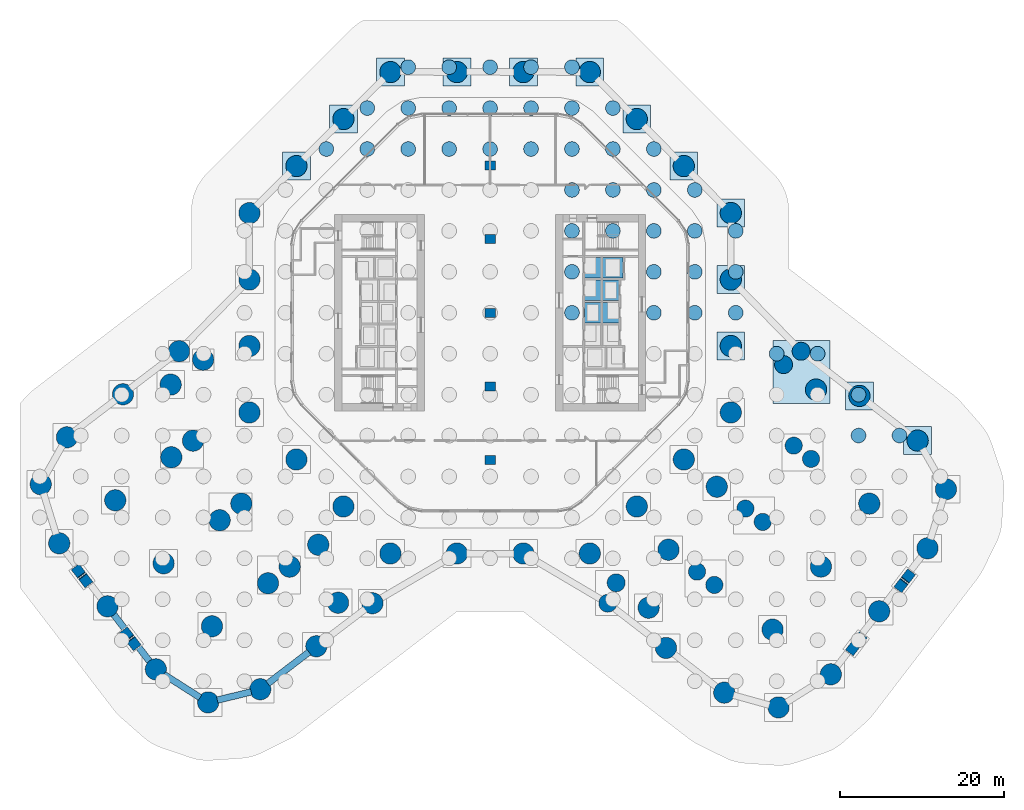
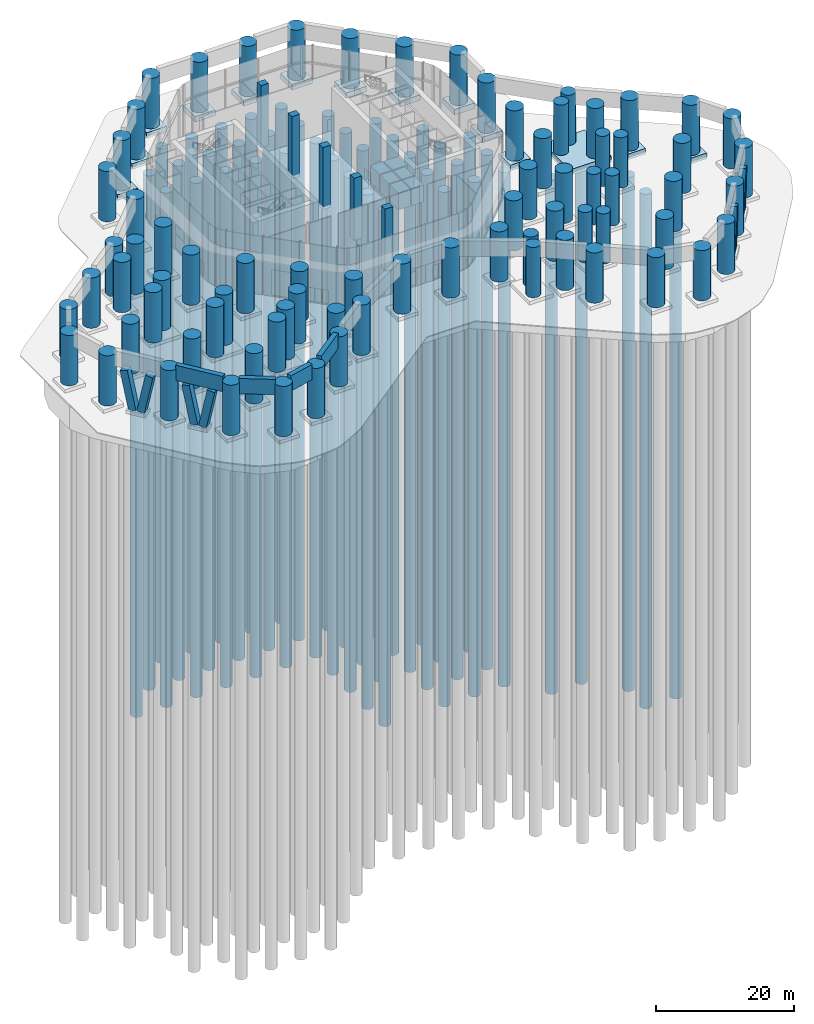
# One storey, part 3 of 31: 87 columns, 43 piles, 20 footings, 4 beams.
"""IFC4 building model written with IfcOpenShell, lengths in metres."""

import ifcopenshell
import ifcopenshell.guid

model = None  # the IFC model being written
_history = None  # IfcOwnerHistory: only IFC2X3 demands one
_inside = {}  # id of a spatial element -> (the spatial element, [elements in it])
_under = {}  # id of a project, library or spatial element -> (it, [spatial elements below it])
_declared = {}  # id of a project -> (the project, [libraries it declares])
_typed = {}  # id of a type object -> (the type object, [elements of that type])
_made_of = {}  # id of a material, layer set ... -> (it, [elements and type objects made of it])


def new_model(schema):
    """Start an empty IFC model of exactly this schema.

    Asked for "IFC4X3", IfcOpenShell would pick the latest addendum, in which some entities
    have other attributes; the version numbers below select the first issue.
    IFC2X3 requires an IfcOwnerHistory on every rooted entity: one is made here for all.
    """
    global model, _history
    if schema == "IFC4X3":
        model = ifcopenshell.file(schema_version=(4, 3, 0, 0))
    else:
        model = ifcopenshell.file(schema=schema)
    _inside.clear()
    _under.clear()
    _declared.clear()
    _typed.clear()
    _made_of.clear()
    _history = None
    if model.schema == "IFC2X3":
        org = make("IfcOrganization", Name="unknown")
        user = make(
            "IfcPersonAndOrganization",
            ThePerson=make("IfcPerson", FamilyName="unknown"),
            TheOrganization=org,
        )
        app = make(
            "IfcApplication",
            ApplicationDeveloper=org,
            Version="unknown",
            ApplicationFullName="unknown",
            ApplicationIdentifier="unknown",
        )
        _history = make(
            "IfcOwnerHistory",
            OwningUser=user,
            OwningApplication=app,
            ChangeAction="ADDED",
            CreationDate=0,
        )
    return model


def make(cls, **values):
    """One entity of the class cls with the attributes given. An attribute that is None is left unset."""
    return model.create_entity(
        cls, **{name: value for name, value in values.items() if value is not None}
    )


def rooted(cls, **values):
    """An entity with a GlobalId (a new one), such as an element, a storey or a relation."""
    return make(cls, GlobalId=ifcopenshell.guid.new(), OwnerHistory=_history, **values)


def si_unit(unit_type, name, prefix=None):
    """IfcSIUnit, for example si_unit("LENGTHUNIT", "METRE", prefix="MILLI")."""
    return make("IfcSIUnit", UnitType=unit_type, Prefix=prefix, Name=name)


def assignment(units):
    """IfcUnitAssignment: the units of a project."""
    return None if units is None else make("IfcUnitAssignment", Units=units)


def point(xyz):
    """IfcCartesianPoint."""
    return None if xyz is None else make("IfcCartesianPoint", Coordinates=xyz)


def direction(xyz):
    """IfcDirection."""
    return None if xyz is None else make("IfcDirection", DirectionRatios=xyz)


def frame(location, z_axis=None, x_axis=None):
    """IfcAxis2Placement3D, a coordinate frame: its origin and axes. An axis left out is left unset."""
    return make(
        "IfcAxis2Placement3D",
        Location=point(location),
        Axis=direction(z_axis),
        RefDirection=direction(x_axis),
    )


def frame_2d(location, x_axis=None):
    """IfcAxis2Placement2D, a coordinate frame in the plane: its origin and x axis."""
    return make(
        "IfcAxis2Placement2D", Location=point(location), RefDirection=direction(x_axis)
    )


def origin():
    """The frame at (0, 0, 0) with its axes left unset."""
    return frame((0.0, 0.0, 0.0))


def origin_2d():
    """The frame at (0, 0) in the plane with its x axis left unset."""
    return frame_2d((0.0, 0.0))


def place(relative_to, where):
    """IfcLocalPlacement: puts the frame where relative to a parent placement (None: the world)."""
    return make(
        "IfcLocalPlacement", PlacementRelTo=relative_to, RelativePlacement=where
    )


def context(
    kind, dimensions, precision=None, world=None, true_north=None, identifier=None
):
    """IfcGeometricRepresentationContext, for example the 3D "Model" context."""
    return make(
        "IfcGeometricRepresentationContext",
        ContextIdentifier=identifier,
        ContextType=kind,
        CoordinateSpaceDimension=dimensions,
        Precision=precision,
        WorldCoordinateSystem=world,
        TrueNorth=true_north,
    )


def subcontext(parent, identifier, kind, view, scale=None):
    """IfcGeometricRepresentationSubContext, for example "Body" below "Model"."""
    return make(
        "IfcGeometricRepresentationSubContext",
        ContextIdentifier=identifier,
        ContextType=kind,
        ParentContext=parent,
        TargetScale=scale,
        TargetView=view,
    )


def project(units=None, contexts=None):
    """IfcProject with its units and contexts."""
    return rooted(
        "IfcProject",
        Name="project",
        RepresentationContexts=contexts,
        UnitsInContext=assignment(units),
    )


def spatial(cls, under=None, at=None, **own):
    """A site, building, storey or space (cls), placed at a placement, below another one or the project."""
    s = rooted(cls, ObjectPlacement=at, **own)
    if under is not None:
        _under.setdefault(under.id(), (under, []))[1].append(s)
    return s


def polyline(points):
    """IfcPolyline through the points."""
    return make("IfcPolyline", Points=[point(p) for p in points])


def profile(cls, at=None, kind="AREA", **sizes):
    """A parametric profile (cls). Its sizes go by their IFC names, for example OverallWidth=200.0."""
    return make(cls, ProfileType=kind, Position=at, **sizes)


def rectangle(**sizes):
    """IfcRectangleProfileDef."""
    return profile("IfcRectangleProfileDef", **sizes)


def circle(**sizes):
    """IfcCircleProfileDef."""
    return profile("IfcCircleProfileDef", **sizes)


def outline(outer, holes=None, kind="AREA"):
    """IfcArbitraryClosedProfileDef: a profile drawn as a closed curve; with holes, ...WithVoids."""
    if holes is None:
        return make("IfcArbitraryClosedProfileDef", ProfileType=kind, OuterCurve=outer)
    return make(
        "IfcArbitraryProfileDefWithVoids",
        ProfileType=kind,
        OuterCurve=outer,
        InnerCurves=holes,
    )


def extrude(swept, where, along, depth):
    """IfcExtrudedAreaSolid: the profile swept, set in the frame where, extruded along a direction by depth."""
    return make(
        "IfcExtrudedAreaSolid",
        SweptArea=swept,
        Position=where,
        ExtrudedDirection=direction(along),
        Depth=depth,
    )


def shape(context_of_items, identifier, shape_type, items):
    """IfcShapeRepresentation: the items that make up one representation, for example the "Body"."""
    return make(
        "IfcShapeRepresentation",
        ContextOfItems=context_of_items,
        RepresentationIdentifier=identifier,
        RepresentationType=shape_type,
        Items=items,
    )


def material(Name=None, Category=None):
    """IfcMaterial."""
    return make("IfcMaterial", Name=Name, Category=Category)


def layer(
    of_material, thickness, ventilated=None, Name=None, Category=None, Priority=None
):
    """IfcMaterialLayer: one layer of a wall or slab, of a material (None: an air gap)."""
    return make(
        "IfcMaterialLayer",
        Material=of_material,
        LayerThickness=thickness,
        IsVentilated=ventilated,
        Name=Name,
        Category=Category,
        Priority=Priority,
    )


def layer_set(layers, Name=None):
    """IfcMaterialLayerSet."""
    return make("IfcMaterialLayerSet", MaterialLayers=layers, LayerSetName=Name)


def material_profile(
    of_material, cross_section, Name=None, Category=None, Priority=None
):
    """IfcMaterialProfile: a cross section and its material."""
    return make(
        "IfcMaterialProfile",
        Name=Name,
        Material=of_material,
        Profile=cross_section,
        Priority=Priority,
        Category=Category,
    )


def profile_set(profiles, Name=None, composite=None):
    """IfcMaterialProfileSet."""
    return make(
        "IfcMaterialProfileSet",
        Name=Name,
        MaterialProfiles=profiles,
        CompositeProfile=composite,
    )


def made_of(thing, what):
    """Note that an element or type object is made of a material, layer set ...; save() writes the relation."""
    if what is not None:
        _made_of.setdefault(what.id(), (what, []))[1].append(thing)
    return thing


def type_object(cls, material=None, **own):
    """A type object (cls), such as IfcWallType, which elements share."""
    return made_of(rooted(cls, **own), material)


def element(
    cls,
    number,
    at=None,
    inside=None,
    cuts=None,
    type_object=None,
    material=None,
    context=None,
    identifier="Body",
    shape_type=None,
    held_by="IfcProductDefinitionShape",
    body=None,
    shapes=None,
    **own,
):
    """One element of the class cls, such as IfcWall. Its Tag is "e" and its number.

    at: its placement. inside: the storey or other place that contains it. cuts: it is an
    opening in that element (IfcRelVoidsElement). A single representation is given by context,
    identifier, shape_type and body (its items); several are given by shapes. held_by: the class
    of the entity that holds the representations. save() writes the other relations.
    """
    e = rooted(cls, Tag="e%d" % number, ObjectPlacement=at, **own)
    if body is not None:
        shapes = [shape(context, identifier, shape_type, body)]
    if shapes is not None:
        e.Representation = make(held_by, Representations=shapes)
    if inside is not None:
        _inside.setdefault(inside.id(), (inside, []))[1].append(e)
    if cuts is not None:
        rooted(
            "IfcRelVoidsElement", RelatingBuildingElement=cuts, RelatedOpeningElement=e
        )
    if type_object is not None:
        _typed.setdefault(type_object.id(), (type_object, []))[1].append(e)
    return made_of(e, material)


def aggregate(whole, parts):
    """IfcRelAggregates: a whole, such as a stair, and the parts it consists of."""
    return rooted("IfcRelAggregates", RelatingObject=whole, RelatedObjects=parts)


def save(model, path):
    """Write the relations noted so far, then the file.

    IfcRelAggregates (storeys below a building ...), IfcRelContainedInSpatialStructure (elements
    in a storey), IfcRelDefinesByType, IfcRelAssociatesMaterial and IfcRelDeclares: one each for
    every whole, place, type object, material and project.
    """
    for whole, parts in _under.values():
        aggregate(whole, parts)
    for where, things in _inside.values():
        rooted(
            "IfcRelContainedInSpatialStructure",
            RelatedElements=things,
            RelatingStructure=where,
        )
    for kind, things in _typed.values():
        rooted("IfcRelDefinesByType", RelatedObjects=things, RelatingType=kind)
    for what, things in _made_of.values():
        rooted("IfcRelAssociatesMaterial", RelatedObjects=things, RelatingMaterial=what)
    for by, libraries in _declared.values():
        rooted("IfcRelDeclares", RelatingContext=by, RelatedDefinitions=libraries)
    model.write(path)


model = new_model("IFC4")

# Units and contexts
model_context = context("Model", 3, precision=1e-05, world=origin(), true_north=direction((0.0, 1.0)))
body_context = subcontext(model_context, "Body", "Model", "MODEL_VIEW")
ifc_project = project(units=[si_unit("LENGTHUNIT", "METRE"), si_unit("AREAUNIT", "SQUARE_METRE"), si_unit("VOLUMEUNIT", "CUBIC_METRE"), si_unit("PLANEANGLEUNIT", "RADIAN"), si_unit("MASSUNIT", "GRAM", prefix="KILO")], contexts=[model_context])

# Site, building, storey
site_placement = place(None, origin())
site = spatial("IfcSite", under=ifc_project, at=site_placement, CompositionType="ELEMENT")
building_placement = place(site_placement, origin())
building = spatial("IfcBuilding", under=site, at=building_placement, Name="Orlundy Tower", CompositionType="ELEMENT")
storey_placement = place(building_placement, origin())
storey = spatial("IfcBuildingStorey", under=building, at=storey_placement, Name="L00", CompositionType="ELEMENT", Elevation=0.0)

# Piles
ifc_material_1 = material(Name="Concrete C40/50", Category="concrete")
ifc_material_profile_1 = material_profile(ifc_material_1, circle(Radius=0.89990234375, at=origin_2d()), Name="BP1800")
ifc_profile_set_1 = profile_set([ifc_material_profile_1], Name="Concrete C40/50")
pile_type = type_object("IfcPileType", Name="BORED PILE 1800 C40/50", PredefinedType="BORED", material=ifc_profile_set_1)
for number, where, z_axis, x_axis, name in (
    (1, (45.0, -15.0, -4.39990234375), (0.0, 0.0, -1.0), (1.0, 0.0, 0.0), "Bored pile 122"),
    (2, (50.0, -15.0, -4.39990234375), (0.0, 0.0, -1.0), (1.0, 0.0, 0.0), "Bored pile 123"),
    (3, (45.0, -10.0, -4.39990234375), (0.0, 0.0, -1.0), (1.0, 0.0, 0.0), "Bored pile 142"),
    (4, (35.0, -5.0, -4.39990234375), (0.0, 0.0, -1.0), (1.0, 0.0, 0.0), "Bored pile 156"),
    (5, (40.0, -5.0, -4.39990234375), (0.0, 0.0, -1.0), (1.0, 0.0, 0.0), "Bored pile 157"),
    (6, (10.0, 0.0, -4.39990234375), (0.0, 0.0, -1.0), (1.0, 0.0, 0.0), "Bored pile 165"),
    (7, (20.0, 0.0, -4.39990234375), (0.0, 0.0, -1.0), (1.0, 0.0, 0.0), "Bored pile 166"),
    (8, (25.0, 0.0, -4.39990234375), (0.0, 0.0, -1.0), (1.0, 0.0, 0.0), "Bored pile 167"),
    (9, (30.0, 0.0, -4.39990234375), (0.0, 0.0, -1.0), (1.0, 0.0, 0.0), "Bored pile 168"),
    (10, (10.0, 5.0, -4.39990234375), (0.0, 0.0, -1.0), (1.0, 0.0, 0.0), "Bored pile 176"),
    (11, (20.0, 5.0, -4.39990234375), (0.0, 0.0, -1.0), (1.0, 0.0, 0.0), "Bored pile 177"),
    (12, (25.0, 5.0, -4.39990234375), (0.0, 0.0, -1.0), (1.0, 0.0, 0.0), "Bored pile 178"),
    (13, (30.0, 5.0, -4.39990234375), (0.0, 0.0, -1.0), (1.0, 0.0, 0.0), "Bored pile 179"),
    (14, (10.0, 10.0, -4.39990234375), (0.0, 0.0, -1.0), (1.0, 0.0, 0.0), "Bored pile 188"),
    (15, (15.0, 10.0, -4.39990234375), (0.0, 0.0, -1.0), (1.0, 0.0, 0.0), "Bored pile 189"),
    (16, (20.0, 10.0, -4.39990234375), (0.0, 0.0, -1.0), (1.0, 0.0, 0.0), "Bored pile 190"),
    (17, (25.0, 10.0, -4.39990234375), (0.0, 0.0, -1.0), (1.0, 0.0, 0.0), "Bored pile 191"),
    (18, (30.0, 10.0, -4.39990234375), (0.0, 0.0, -1.0), (1.0, 0.0, 0.0), "Bored pile 192"),
    (19, (10.0, 15.0, -4.39990234375), (0.0, 0.0, -1.0), (1.0, 0.0, 0.0), "Bored pile 200"),
    (20, (15.0, 15.0, -4.39990234375), (0.0, 0.0, -1.0), (1.0, 0.0, 0.0), "Bored pile 201"),
    (21, (20.0, 15.0, -4.39990234375), (0.0, 0.0, -1.0), (1.0, 0.0, 0.0), "Bored pile 202"),
    (22, (25.0, 15.0, -4.39990234375), (0.0, 0.0, -1.0), (1.0, 0.0, 0.0), "Bored pile 203"),
    (23, (-20.0, 20.0, -4.39990234375), (0.0, 0.0, -1.0), (1.0, 0.0, 0.0), "Bored pile 204"),
    (24, (-15.0, 20.0, -4.39990234375), (0.0, 0.0, -1.0), (1.0, 0.0, 0.0), "Bored pile 205"),
    (25, (-10.0, 20.0, -4.39990234375), (0.0, 0.0, -1.0), (1.0, 0.0, 0.0), "Bored pile 206"),
    (26, (-5.0, 20.0, -4.39990234375), (0.0, 0.0, -1.0), (1.0, 0.0, 0.0), "Bored pile 207"),
    (27, (0.0, 20.0, -4.39990234375), (0.0, 0.0, -1.0), (1.0, 0.0, 0.0), "Bored pile 208"),
    (28, (5.0, 20.0, -4.39990234375), (0.0, 0.0, -1.0), (1.0, 0.0, 0.0), "Bored pile 209"),
    (29, (10.0, 20.0, -4.39990234375), (0.0, 0.0, -1.0), (1.0, 0.0, 0.0), "Bored pile 210"),
    (30, (15.0, 20.0, -4.39990234375), (0.0, 0.0, -1.0), (1.0, 0.0, 0.0), "Bored pile 211"),
    (31, (20.0, 20.0, -4.39990234375), (0.0, 0.0, -1.0), (1.0, 0.0, 0.0), "Bored pile 212"),
    (32, (-15.0, 25.0, -4.39990234375), (0.0, 0.0, -1.0), (1.0, 0.0, 0.0), "Bored pile 213"),
    (33, (-10.0, 25.0, -4.39990234375), (0.0, 0.0, -1.0), (1.0, 0.0, 0.0), "Bored pile 214"),
    (34, (-5.0, 25.0, -4.39990234375), (0.0, 0.0, -1.0), (1.0, 0.0, 0.0), "Bored pile 215"),
    (35, (0.0, 25.0, -4.39990234375), (0.0, 0.0, -1.0), (1.0, 0.0, 0.0), "Bored pile 216"),
    (36, (5.0, 25.0, -4.39990234375), (0.0, 0.0, -1.0), (1.0, 0.0, 0.0), "Bored pile 217"),
    (37, (10.0, 25.0, -4.39990234375), (0.0, 0.0, -1.0), (1.0, 0.0, 0.0), "Bored pile 218"),
    (38, (15.0, 25.0, -4.39990234375), (0.0, 0.0, -1.0), (1.0, 0.0, 0.0), "Bored pile 219"),
    (39, (-10.0, 30.0, -4.39990234375), (0.0, 0.0, -1.0), (1.0, 0.0, 0.0), "Bored pile 220"),
    (40, (-5.0, 30.0, -4.39990234375), (0.0, 0.0, -1.0), (1.0, 0.0, 0.0), "Bored pile 221"),
    (41, (0.0, 30.0, -4.39990234375), (0.0, 0.0, -1.0), (1.0, 0.0, 0.0), "Bored pile 222"),
    (42, (5.0, 30.0, -4.39990234375), (0.0, 0.0, -1.0), (1.0, 0.0, 0.0), "Bored pile 223"),
    (43, (10.0, 30.0, -4.39990234375), (0.0, 0.0, -1.0), (1.0, 0.0, 0.0), "Bored pile 224"),
):
    element("IfcPile", number, at=place(storey_placement, frame(where, z_axis=z_axis, x_axis=x_axis)), inside=storey, type_object=pile_type, Name=name, PredefinedType="BORED", context=body_context, shape_type="SweptSolid", body=[
        extrude(circle(Radius=0.89990234375, at=origin_2d()), origin(), (0.0, 0.0, 1.0), 91.0),
    ])

# Footings
ifc_material_2 = material(Name="Concrete C50/60", Category="concrete")
ifc_layer_1 = layer(ifc_material_2, 1.0)
ifc_layer_set_1 = layer_set([ifc_layer_1], Name="PIT BASE C50/60")
footing_type_1 = type_object("IfcFootingType", Name="PIT BASE C50/60", PredefinedType="PAD_FOOTING", material=ifc_layer_set_1)
footing_1_placement = place(storey_placement, frame((0.0, 0.0, -4.39990234375)))
element("IfcFooting", 44, at=footing_1_placement, inside=storey, type_object=footing_type_1, Name="Lift pit base LPD-02", PredefinedType="PAD_FOOTING", context=body_context, shape_type="SweptSolid", body=[
    extrude(outline(polyline([(11.5400390625, 6.77490234375), (13.5400390625, 6.77490234375), (13.5400390625, 4.22509765625), (11.5400390625, 4.22509765625), (11.5400390625, 6.77490234375)])), origin(), (0.0, 0.0, 1.0), 3.0),
])
footing_2_placement = place(storey_placement, frame((0.0, 0.0, -4.39990234375)))
element("IfcFooting", 45, at=footing_2_placement, inside=storey, type_object=footing_type_1, Name="Lift pit base LV-02", PredefinedType="PAD_FOOTING", context=body_context, shape_type="SweptSolid", body=[
    extrude(outline(polyline([(13.739990234375, 6.77490234375), (16.239990234375, 6.77490234375), (16.239990234375, 4.22509765625), (13.739990234375, 4.22509765625), (13.739990234375, 6.77490234375)])), origin(), (0.0, 0.0, 1.0), 3.0),
])
footing_3_placement = place(storey_placement, frame((0.0, 0.0, -4.39990234375)))
element("IfcFooting", 46, at=footing_3_placement, inside=storey, type_object=footing_type_1, Name="Lift pit base LS-02", PredefinedType="PAD_FOOTING", context=body_context, shape_type="SweptSolid", body=[
    extrude(outline(polyline([(11.5400390625, 4.02490234375), (13.5400390625, 4.02490234375), (13.5400390625, 1.47509765625), (11.5400390625, 1.47509765625), (11.5400390625, 4.02490234375)])), origin(), (0.0, 0.0, 1.0), 3.0),
])
footing_4_placement = place(storey_placement, frame((0.0, 0.0, -4.39990234375)))
element("IfcFooting", 47, at=footing_4_placement, inside=storey, type_object=footing_type_1, Name="Lift pit base LS-04", PredefinedType="PAD_FOOTING", context=body_context, shape_type="SweptSolid", body=[
    extrude(outline(polyline([(13.739990234375, 4.02490234375), (15.739990234375, 4.02490234375), (15.739990234375, 1.47509765625), (13.739990234375, 1.47509765625), (13.739990234375, 4.02490234375)])), origin(), (0.0, 0.0, 1.0), 3.0),
])
footing_5_placement = place(storey_placement, frame((0.0, 0.0, -4.39990234375)))
element("IfcFooting", 48, at=footing_5_placement, inside=storey, type_object=footing_type_1, Name="Lift pit base LP-10", PredefinedType="PAD_FOOTING", context=body_context, shape_type="SweptSolid", body=[
    extrude(outline(polyline([(11.5400390625, 1.27490234375), (13.5400390625, 1.27490234375), (13.5400390625, -1.27490234375), (11.5400390625, -1.27490234375), (11.5400390625, 1.27490234375)])), origin(), (0.0, 0.0, 1.0), 3.0),
])
footing_6_placement = place(storey_placement, frame((0.0, 0.0, -4.39990234375)))
element("IfcFooting", 49, at=footing_6_placement, inside=storey, type_object=footing_type_1, Name="Lift pit base LP-06", PredefinedType="PAD_FOOTING", context=body_context, shape_type="SweptSolid", body=[
    extrude(outline(polyline([(13.739990234375, 1.27490234375), (15.739990234375, 1.27490234375), (15.739990234375, -1.27490234375), (13.739990234375, -1.27490234375), (13.739990234375, 1.27490234375)])), origin(), (0.0, 0.0, 1.0), 3.0),
])
ifc_material_3 = material(Name="Concrete C50/60", Category="concrete")
ifc_layer_2 = layer(ifc_material_3, 1.0)
ifc_layer_set_2 = layer_set([ifc_layer_2], Name="STILT PEDESTAL C50/60")
footing_type_2 = type_object("IfcFootingType", Name="STILT PEDESTAL C50/60", PredefinedType="PAD_FOOTING", material=ifc_layer_set_2)
footing_7_placement = place(storey_placement, frame((0.0, 0.0, -0.39990234375)))
element("IfcFooting", 50, at=footing_7_placement, inside=storey, type_object=footing_type_2, Name="Stilt pedestal C-A5-1 and 2 more", PredefinedType="PAD_FOOTING", context=body_context, shape_type="SweptSolid", body=[
    extrude(outline(polyline([(41.510009765625, -11.080078125), (41.510009765625, -3.39794921875), (34.54296875, -3.39794921875), (34.54296875, -11.080078125), (41.510009765625, -11.080078125)])), origin(), (0.0, 0.0, 1.0), 1.0),
])
footing_8_placement = place(storey_placement, frame((0.0, 0.0, -0.39990234375)))
element("IfcFooting", 51, at=footing_8_placement, inside=storey, type_object=footing_type_2, Name="Stilt pedestal C-A5-2", PredefinedType="PAD_FOOTING", context=body_context, shape_type="SweptSolid", body=[
    extrude(outline(polyline([(46.803955078125, -11.85693359375), (46.803955078125, -8.45703125), (43.404052734375, -8.45703125), (43.404052734375, -11.85693359375), (46.803955078125, -11.85693359375)])), origin(), (0.0, 0.0, 1.0), 1.0),
])
footing_9_placement = place(storey_placement, frame((0.0, 0.0, -0.39990234375)))
element("IfcFooting", 52, at=footing_9_placement, inside=storey, type_object=footing_type_2, Name="Stilt pedestal C-A5-3", PredefinedType="PAD_FOOTING", context=body_context, shape_type="SweptSolid", body=[
    extrude(outline(polyline([(53.91796875, -17.31494140625), (53.91796875, -13.9150390625), (50.51806640625, -13.9150390625), (50.51806640625, -17.31494140625), (53.91796875, -17.31494140625)])), origin(), (0.0, 0.0, 1.0), 1.0),
])
footing_10_placement = place(storey_placement, frame((0.0, 0.0, -0.39990234375)))
element("IfcFooting", 53, at=footing_10_placement, inside=storey, type_object=footing_type_2, Name="Stilt pedestal C-H01", PredefinedType="PAD_FOOTING", context=body_context, shape_type="SweptSolid", body=[
    extrude(outline(polyline([(31.10009765625, 10.47802734375), (31.10009765625, 13.8779296875), (27.699951171875, 13.8779296875), (27.699951171875, 10.47802734375), (31.10009765625, 10.47802734375)])), origin(), (0.0, 0.0, 1.0), 1.0),
])
footing_11_placement = place(storey_placement, frame((0.0, 0.0, -0.39990234375)))
element("IfcFooting", 54, at=footing_11_placement, inside=storey, type_object=footing_type_2, Name="Stilt pedestal C-H02", PredefinedType="PAD_FOOTING", context=body_context, shape_type="SweptSolid", body=[
    extrude(outline(polyline([(31.10009765625, 2.35888671875), (31.10009765625, 5.759033203125), (27.699951171875, 5.759033203125), (27.699951171875, 2.35888671875), (31.10009765625, 2.35888671875)])), origin(), (0.0, 0.0, 1.0), 1.0),
])
footing_12_placement = place(storey_placement, frame((0.0, 0.0, -0.39990234375)))
element("IfcFooting", 55, at=footing_12_placement, inside=storey, type_object=footing_type_2, Name="Stilt pedestal C-H03", PredefinedType="PAD_FOOTING", context=body_context, shape_type="SweptSolid", body=[
    extrude(outline(polyline([(31.10009765625, -5.759033203125), (31.10009765625, -2.35888671875), (27.699951171875, -2.35888671875), (27.699951171875, -5.759033203125), (31.10009765625, -5.759033203125)])), origin(), (0.0, 0.0, 1.0), 1.0),
])
footing_13_placement = place(storey_placement, frame((0.0, 0.0, -0.39990234375)))
element("IfcFooting", 56, at=footing_13_placement, inside=storey, type_object=footing_type_2, Name="Stilt pedestal C-H17", PredefinedType="PAD_FOOTING", context=body_context, shape_type="SweptSolid", body=[
    extrude(outline(polyline([(-21.958984375, 16.218994140625), (-21.958984375, 19.618896484375), (-25.35888671875, 19.618896484375), (-25.35888671875, 16.218994140625), (-21.958984375, 16.218994140625)])), origin(), (0.0, 0.0, 1.0), 1.0),
])
footing_14_placement = place(storey_placement, frame((0.0, 0.0, -0.39990234375)))
element("IfcFooting", 57, at=footing_14_placement, inside=storey, type_object=footing_type_2, Name="Stilt pedestal C-H18", PredefinedType="PAD_FOOTING", context=body_context, shape_type="SweptSolid", body=[
    extrude(outline(polyline([(-16.218994140625, 21.958984375), (-16.218994140625, 25.35888671875), (-19.618896484375, 25.35888671875), (-19.618896484375, 21.958984375), (-16.218994140625, 21.958984375)])), origin(), (0.0, 0.0, 1.0), 1.0),
])
footing_15_placement = place(storey_placement, frame((0.0, 0.0, -0.39990234375)))
element("IfcFooting", 58, at=footing_15_placement, inside=storey, type_object=footing_type_2, Name="Stilt pedestal C-H19", PredefinedType="PAD_FOOTING", context=body_context, shape_type="SweptSolid", body=[
    extrude(outline(polyline([(-10.47802734375, 27.699951171875), (-10.47802734375, 31.10009765625), (-13.8779296875, 31.10009765625), (-13.8779296875, 27.699951171875), (-10.47802734375, 27.699951171875)])), origin(), (0.0, 0.0, 1.0), 1.0),
])
footing_16_placement = place(storey_placement, frame((0.0, 0.0, -0.39990234375)))
element("IfcFooting", 59, at=footing_16_placement, inside=storey, type_object=footing_type_2, Name="Stilt pedestal C-H20", PredefinedType="PAD_FOOTING", context=body_context, shape_type="SweptSolid", body=[
    extrude(outline(polyline([(-2.35888671875, 27.699951171875), (-2.35888671875, 31.10009765625), (-5.759033203125, 31.10009765625), (-5.759033203125, 27.699951171875), (-2.35888671875, 27.699951171875)])), origin(), (0.0, 0.0, 1.0), 1.0),
])
footing_17_placement = place(storey_placement, frame((0.0, 0.0, -0.39990234375)))
element("IfcFooting", 60, at=footing_17_placement, inside=storey, type_object=footing_type_2, Name="Stilt pedestal C-H21", PredefinedType="PAD_FOOTING", context=body_context, shape_type="SweptSolid", body=[
    extrude(outline(polyline([(5.759033203125, 27.699951171875), (5.759033203125, 31.10009765625), (2.35888671875, 31.10009765625), (2.35888671875, 27.699951171875), (5.759033203125, 27.699951171875)])), origin(), (0.0, 0.0, 1.0), 1.0),
])
footing_18_placement = place(storey_placement, frame((0.0, 0.0, -0.39990234375)))
element("IfcFooting", 61, at=footing_18_placement, inside=storey, type_object=footing_type_2, Name="Stilt pedestal C-H22", PredefinedType="PAD_FOOTING", context=body_context, shape_type="SweptSolid", body=[
    extrude(outline(polyline([(13.8779296875, 27.699951171875), (13.8779296875, 31.10009765625), (10.47802734375, 31.10009765625), (10.47802734375, 27.699951171875), (13.8779296875, 27.699951171875)])), origin(), (0.0, 0.0, 1.0), 1.0),
])
footing_19_placement = place(storey_placement, frame((0.0, 0.0, -0.39990234375)))
element("IfcFooting", 62, at=footing_19_placement, inside=storey, type_object=footing_type_2, Name="Stilt pedestal C-H23", PredefinedType="PAD_FOOTING", context=body_context, shape_type="SweptSolid", body=[
    extrude(outline(polyline([(19.618896484375, 21.958984375), (19.618896484375, 25.35888671875), (16.218994140625, 25.35888671875), (16.218994140625, 21.958984375), (19.618896484375, 21.958984375)])), origin(), (0.0, 0.0, 1.0), 1.0),
])
footing_20_placement = place(storey_placement, frame((0.0, 0.0, -0.39990234375)))
element("IfcFooting", 63, at=footing_20_placement, inside=storey, type_object=footing_type_2, Name="Stilt pedestal C-H24", PredefinedType="PAD_FOOTING", context=body_context, shape_type="SweptSolid", body=[
    extrude(outline(polyline([(25.35888671875, 16.218994140625), (25.35888671875, 19.618896484375), (21.958984375, 19.618896484375), (21.958984375, 16.218994140625), (25.35888671875, 16.218994140625)])), origin(), (0.0, 0.0, 1.0), 1.0),
])

# Columns
ifc_material_4 = material(Name="Concrete C80/95", Category="concrete")
ifc_material_profile_2 = material_profile(ifc_material_4, rectangle(XDim=1.300048828125, YDim=1.10009765625, at=origin_2d()), Name="RC1300X1100")
ifc_profile_set_2 = profile_set([ifc_material_profile_2], Name="Concrete C80/95")
column_type_1 = type_object("IfcColumnType", Name="RC COLUMN RC1300X1100 C80/95", PredefinedType="COLUMN", material=ifc_profile_set_2)
for number, where, z_axis, x_axis, name in (
    (64, (0.0, -18.0, -0.5), (0.0, 0.0, 1.0), (1.0, 0.0, 0.0), "Column C-M1 L00"),
    (65, (0.0, -9.0, -0.5), (0.0, 0.0, 1.0), (1.0, 0.0, 0.0), "Column C-M2 L00"),
    (66, (0.0, 0.0, -0.5), (0.0, 0.0, 1.0), (1.0, 0.0, 0.0), "Column C-M3 L00"),
    (67, (0.0, 9.0, -0.5), (0.0, 0.0, 1.0), (1.0, 0.0, 0.0), "Column C-M4 L00"),
    (68, (0.0, 18.0, -0.5), (0.0, 0.0, 1.0), (1.0, 0.0, 0.0), "Column C-M5 L00"),
):
    element("IfcColumn", number, at=place(storey_placement, frame(where, z_axis=z_axis, x_axis=x_axis)), inside=storey, type_object=column_type_1, Name=name, PredefinedType="COLUMN", context=body_context, shape_type="SweptSolid", body=[
        extrude(rectangle(XDim=1.300048828125, YDim=1.10009765625, at=origin_2d()), origin(), (0.0, 0.0, 1.0), 11.0),
    ])
ifc_material_5 = material(Name="Concrete C80/95", Category="concrete")
ifc_material_profile_3 = material_profile(ifc_material_5, rectangle(XDim=1.199951171875, YDim=1.199951171875, at=origin_2d()), Name="RC1200X1200")
ifc_profile_set_3 = profile_set([ifc_material_profile_3], Name="Concrete C80/95")
column_type_2 = type_object("IfcColumnType", Name="RC INCLINED STRUT RC1200X1200 C80/95", PredefinedType="COLUMN", material=ifc_profile_set_3)
for number, where, z_axis, x_axis, name in (
    (69, (-43.539794921875, -40.341552734375, 0.60009765625), (0.120562816127, -0.157132820662, 0.980190738601), (0.793376354135, 0.60873143561, 0.0), "V-strut 1A"),
    (70, (-44.3310546875, -39.310302734375, 0.60009765625), (-0.120562816127, 0.157132820662, 0.980190738601), (-0.793376354135, -0.60873143561, 0.0), "V-strut 1B"),
    (71, (51.029296875, -32.223388671875, 0.60009765625), (0.120562816127, 0.157132820662, 0.980190738601), (-0.793376354135, 0.60873143561, 0.0), "V-strut 2A"),
    (72, (50.23779296875, -33.254638671875, 0.60009765625), (-0.120562816127, -0.157132820662, 0.980190738601), (0.793376354135, -0.60873143561, 0.0), "V-strut 2B"),
    (73, (45.1240234375, -39.918701171875, 0.60009765625), (0.120562816127, 0.157132820662, 0.980190738601), (-0.793376354135, 0.60873143561, 0.0), "V-strut 3A"),
    (74, (44.33251953125, -40.949951171875, 0.60009765625), (-0.120562816127, -0.157132820662, 0.980190738601), (0.793376354135, -0.60873143561, 0.0), "V-strut 3B"),
    (75, (-49.444580078125, -32.646240234375, 0.60009765625), (0.120562816127, -0.157132820662, 0.980190738601), (0.793376354135, 0.60873143561, 0.0), "V-strut 4A"),
    (76, (-50.23583984375, -31.614990234375, 0.60009765625), (-0.120562816127, 0.157132820662, 0.980190738601), (-0.793376354135, -0.60873143561, 0.0), "V-strut 4B"),
):
    element("IfcColumn", number, at=place(storey_placement, frame(where, z_axis=z_axis, x_axis=x_axis)), inside=storey, type_object=column_type_2, Name=name, PredefinedType="COLUMN", context=body_context, shape_type="SweptSolid", body=[
        extrude(rectangle(XDim=1.199951171875, YDim=1.199951171875, at=origin_2d()), origin(), (0.0, 0.0, 1.0), 6.816162109375),
    ])
ifc_material_6 = material(Name="Concrete C80/95", Category="concrete")
ifc_material_profile_4 = material_profile(ifc_material_6, circle(Radius=1.050048828125, at=origin_2d()), Name="CC2100")
ifc_profile_set_4 = profile_set([ifc_material_profile_4], Name="Concrete C80/95")
column_type_3 = type_object("IfcColumnType", Name="RC STILT COLUMN CC2100 C80/95", PredefinedType="COLUMN", material=ifc_profile_set_4)
for number, where, z_axis, x_axis, name in (
    (77, (27.388916015625, -33.242919921875, 0.60009765625), (0.0, 0.0, 1.0), (0.5, 0.866025403784, 0.0), "Column C-A2-2 L00"),
    (78, (25.27392578125, -31.6201171875, 0.60009765625), (0.0, 0.0, 1.0), (0.5, 0.866025403784, 0.0), "Column C-A2-6 L00"),
    (79, (33.2939453125, -25.548095703125, 0.60009765625), (0.0, 0.0, 1.0), (0.5, 0.866025403784, 0.0), "Column C-A3-2 L00"),
    (80, (31.178955078125, -23.924072265625, 0.60009765625), (0.0, 0.0, 1.0), (0.5, 0.866025403784, 0.0), "Column C-A3-6 L00"),
    (81, (39.198974609375, -17.85205078125, 0.60009765625), (0.0, 0.0, 1.0), (0.5, 0.866025403784, 0.0), "Column C-A4-2 L00"),
    (82, (37.083984375, -16.22900390625, 0.60009765625), (0.0, 0.0, 1.0), (0.5, 0.866025403784, 0.0), "Column C-A4-6 L00"),
):
    element("IfcColumn", number, at=place(storey_placement, frame(where, z_axis=z_axis, x_axis=x_axis)), inside=storey, type_object=column_type_3, Name=name, PredefinedType="COLUMN", context=body_context, shape_type="SweptSolid", body=[
        extrude(circle(Radius=1.050048828125, at=origin_2d()), origin(), (0.0, 0.0, 1.0), 8.89990234375),
    ])
ifc_material_7 = material(Name="Concrete C80/95", Category="concrete")
ifc_material_profile_5 = material_profile(ifc_material_7, circle(Radius=1.10009765625, at=origin_2d()), Name="CC2200")
ifc_profile_set_5 = profile_set([ifc_material_profile_5], Name="Concrete C80/95")
column_type_4 = type_object("IfcColumnType", Name="RC STILT COLUMN CC2200 C80/95", PredefinedType="COLUMN", material=ifc_profile_set_5)
for number, where, z_axis, x_axis, name in (
    (83, (14.37109375, -35.47998046875, 0.60009765625), (0.0, 0.0, 1.0), (0.707106781187, 0.707106781187, 0.0), "Column C-A1-1 L00"),
    (84, (15.39697265625, -32.98193359375, 0.60009765625), (0.0, 0.0, 1.0), (0.707106781187, 0.707106781187, 0.0), "Column C-A1-7 L00"),
    (85, (37.990966796875, -4.697998046875, 0.60009765625), (0.0, 0.0, 1.0), (0.906307787037, 0.422618261741, 0.0), "Column C-A5-1 L00"),
    (86, (35.843017578125, -6.3359375, 0.60009765625), (0.0, 0.0, 1.0), (0.906307787037, 0.422618261741, 0.0), "Column C-A5-7 L00"),
):
    element("IfcColumn", number, at=place(storey_placement, frame(where, z_axis=z_axis, x_axis=x_axis)), inside=storey, type_object=column_type_4, Name=name, PredefinedType="COLUMN", context=body_context, shape_type="SweptSolid", body=[
        extrude(circle(Radius=1.10009765625, at=origin_2d()), origin(), (0.0, 0.0, 1.0), 8.89990234375),
    ])
ifc_material_8 = material(Name="Concrete C80/95", Category="concrete")
ifc_material_profile_6 = material_profile(ifc_material_8, circle(Radius=1.300048828125, at=origin_2d()), Name="CC2600")
ifc_profile_set_6 = profile_set([ifc_material_profile_6], Name="Concrete C80/95")
column_type_5 = type_object("IfcColumnType", Name="RC STILT COLUMN CC2600 C80/95", PredefinedType="COLUMN", material=ifc_profile_set_6)
for number, where, z_axis, x_axis, name in (
    (87, (21.48388671875, -40.93896484375, 0.60009765625), (0.0, 0.0, 1.0), (1.0, 0.0, 0.0), "Column C-A1-2 L00"),
    (88, (28.597900390625, -46.39697265625, 0.60009765625), (0.0, 0.0, 1.0), (1.0, 0.0, 0.0), "Column C-A1-3 L00"),
    (89, (35.23095703125, -48.200927734375, 0.60009765625), (0.0, 0.0, 1.0), (1.0, 0.0, 0.0), "Column C-A1-5 L00"),
    (90, (19.364013671875, -36.02587890625, 0.60009765625), (0.0, 0.0, 1.0), (1.0, 0.0, 0.0), "Column C-A1-6 L00"),
    (91, (34.5029296875, -38.701904296875, 0.60009765625), (0.0, 0.0, 1.0), (1.0, 0.0, 0.0), "Column C-A2-3 L00"),
    (92, (41.616943359375, -44.159912109375, 0.60009765625), (0.0, 0.0, 1.0), (1.0, 0.0, 0.0), "Column C-A2-5 L00"),
    (93, (21.782958984375, -28.94091796875, 0.60009765625), (0.0, 0.0, 1.0), (1.0, 0.0, 0.0), "Column C-A2-7 L00"),
    (94, (40.407958984375, -31.006103515625, 0.60009765625), (0.0, 0.0, 1.0), (1.0, 0.0, 0.0), "Column C-A3-3 L00"),
    (95, (47.52197265625, -36.465087890625, 0.60009765625), (0.0, 0.0, 1.0), (1.0, 0.0, 0.0), "Column C-A3-5 L00"),
    (96, (27.68798828125, -21.24609375, 0.60009765625), (0.0, 0.0, 1.0), (1.0, 0.0, 0.0), "Column C-A3-7 L00"),
    (97, (46.31298828125, -23.31103515625, 0.60009765625), (0.0, 0.0, 1.0), (1.0, 0.0, 0.0), "Column C-A4-3 L00"),
    (98, (53.427001953125, -28.76904296875, 0.60009765625), (0.0, 0.0, 1.0), (1.0, 0.0, 0.0), "Column C-A4-5 L00"),
    (99, (45.10400390625, -10.156982421875, 0.60009765625), (0.0, 0.0, 1.0), (1.0, 0.0, 0.0), "Column C-A5-2 L00"),
    (100, (52.218017578125, -15.614990234375, 0.60009765625), (0.0, 0.0, 1.0), (1.0, 0.0, 0.0), "Column C-A5-3 L00"),
    (101, (55.677001953125, -21.554931640625, 0.60009765625), (0.0, 0.0, 1.0), (1.0, 0.0, 0.0), "Column C-A5-5 L00"),
    (102, (39.81005859375, -9.3798828125, 0.60009765625), (0.0, 0.0, 1.0), (1.0, 0.0, 0.0), "Column C-A5-6 L00"),
    (103, (-37.990966796875, -4.697998046875, 0.60009765625), (0.0, 0.0, 1.0), (0.087155742748, 0.996194698092, 0.0), "Column C-B1-1 L00"),
    (104, (-44.840087890625, -9.9541015625, 0.60009765625), (0.0, 0.0, 1.0), (1.0, 0.0, 0.0), "Column C-B1-2 L00"),
    (105, (-51.68701171875, -15.2119140625, 0.60009765625), (0.0, 0.0, 1.0), (1.0, 0.0, 0.0), "Column C-B1-3 L00"),
    (106, (-54.884033203125, -20.946044921875, 0.60009765625), (0.0, 0.0, 1.0), (1.0, 0.0, 0.0), "Column C-B1-5 L00"),
    (107, (-39.01611328125, -8.77099609375, 0.60009765625), (0.0, 0.0, 1.0), (1.0, 0.0, 0.0), "Column C-B1-6 L00"),
    (108, (-35.050048828125, -5.72705078125, 0.60009765625), (0.0, 0.0, 1.0), (0.087155742748, 0.996194698092, 0.0), "Column C-B1-7 L00"),
    (109, (-38.93505859375, -17.64892578125, 0.60009765625), (0.0, 0.0, 1.0), (0.866025403784, 0.5, 0.0), "Column C-B2-2 L00"),
    (110, (-45.783935546875, -22.905029296875, 0.60009765625), (0.0, 0.0, 1.0), (1.0, 0.0, 0.0), "Column C-B2-3 L00"),
    (111, (-52.633056640625, -28.160888671875, 0.60009765625), (0.0, 0.0, 1.0), (1.0, 0.0, 0.0), "Column C-B2-5 L00"),
    (112, (-36.2900390625, -15.6201171875, 0.60009765625), (0.0, 0.0, 1.0), (0.866025403784, 0.5, 0.0), "Column C-B2-6 L00"),
    (113, (-33.030029296875, -25.344970703125, 0.60009765625), (0.0, 0.0, 1.0), (0.866025403784, 0.5, 0.0), "Column C-B3-2 L00"),
    (114, (-39.87890625, -30.60009765625, 0.60009765625), (0.0, 0.0, 1.0), (1.0, 0.0, 0.0), "Column C-B3-3 L00"),
    (115, (-46.72900390625, -35.85595703125, 0.60009765625), (0.0, 0.0, 1.0), (1.0, 0.0, 0.0), "Column C-B3-5 L00"),
    (116, (-30.385009765625, -23.31591796875, 0.60009765625), (0.0, 0.0, 1.0), (0.866025403784, 0.5, 0.0), "Column C-B3-6 L00"),
    (117, (-27.125, -33.0400390625, 0.60009765625), (0.0, 0.0, 1.0), (0.866025403784, 0.5, 0.0), "Column C-B4-2 L00"),
    (118, (-33.97412109375, -38.2958984375, 0.60009765625), (0.0, 0.0, 1.0), (1.0, 0.0, 0.0), "Column C-B4-3 L00"),
    (119, (-40.823974609375, -43.552001953125, 0.60009765625), (0.0, 0.0, 1.0), (1.0, 0.0, 0.0), "Column C-B4-5 L00"),
    (120, (-24.47998046875, -31.010986328125, 0.60009765625), (0.0, 0.0, 1.0), (0.866025403784, 0.5, 0.0), "Column C-B4-6 L00"),
    (121, (-20.989990234375, -28.3330078125, 0.60009765625), (0.0, 0.0, 1.0), (1.0, 0.0, 0.0), "Column C-B4-7 L00"),
    (122, (-14.37109375, -35.47998046875, 0.60009765625), (0.0, 0.0, 1.0), (1.0, 0.0, 0.0), "Column C-B5-1 L00"),
    (123, (-21.219970703125, -40.736083984375, 0.60009765625), (0.0, 0.0, 1.0), (1.0, 0.0, 0.0), "Column C-B5-2 L00"),
    (124, (-28.072021484375, -45.988037109375, 0.60009765625), (0.0, 0.0, 1.0), (1.0, 0.0, 0.0), "Column C-B5-3 L00"),
    (125, (-34.43701171875, -47.592041015625, 0.60009765625), (0.0, 0.0, 1.0), (1.0, 0.0, 0.0), "Column C-B5-5 L00"),
    (126, (-18.570068359375, -35.4169921875, 0.60009765625), (0.0, 0.0, 1.0), (1.0, 0.0, 0.0), "Column C-B5-6 L00"),
    (127, (29.39990234375, 12.177978515625, 0.60009765625), (0.0, 0.0, 1.0), (1.0, 0.0, 0.0), "Column C-H01 L00"),
    (128, (29.39990234375, 4.05908203125, 0.60009765625), (0.0, 0.0, 1.0), (1.0, 0.0, 0.0), "Column C-H02 L00"),
    (129, (29.39990234375, -4.05908203125, 0.60009765625), (0.0, 0.0, 1.0), (1.0, 0.0, 0.0), "Column C-H03 L00"),
    (130, (29.39990234375, -12.177978515625, 0.60009765625), (0.0, 0.0, 1.0), (1.0, 0.0, 0.0), "Column C-H04 L00"),
    (131, (23.658935546875, -17.9189453125, 0.60009765625), (0.0, 0.0, 1.0), (1.0, 0.0, 0.0), "Column C-H05 L00"),
    (132, (17.9189453125, -23.658935546875, 0.60009765625), (0.0, 0.0, 1.0), (1.0, 0.0, 0.0), "Column C-H06 L00"),
    (133, (12.177978515625, -29.39990234375, 0.60009765625), (0.0, 0.0, 1.0), (1.0, 0.0, 0.0), "Column C-H07 L00"),
    (134, (4.05908203125, -29.39990234375, 0.60009765625), (0.0, 0.0, 1.0), (1.0, 0.0, 0.0), "Column C-H08 L00"),
    (135, (-4.05908203125, -29.39990234375, 0.60009765625), (0.0, 0.0, 1.0), (1.0, 0.0, 0.0), "Column C-H09 L00"),
    (136, (-12.177978515625, -29.39990234375, 0.60009765625), (0.0, 0.0, 1.0), (1.0, 0.0, 0.0), "Column C-H10 L00"),
    (137, (-17.9189453125, -23.658935546875, 0.60009765625), (0.0, 0.0, 1.0), (1.0, 0.0, 0.0), "Column C-H11 L00"),
    (138, (-23.658935546875, -17.9189453125, 0.60009765625), (0.0, 0.0, 1.0), (1.0, 0.0, 0.0), "Column C-H12 L00"),
    (139, (-29.39990234375, -12.177978515625, 0.60009765625), (0.0, 0.0, 1.0), (1.0, 0.0, 0.0), "Column C-H13 L00"),
    (140, (-29.39990234375, -4.05908203125, 0.60009765625), (0.0, 0.0, 1.0), (1.0, 0.0, 0.0), "Column C-H14 L00"),
    (141, (-29.39990234375, 4.05908203125, 0.60009765625), (0.0, 0.0, 1.0), (1.0, 0.0, 0.0), "Column C-H15 L00"),
    (142, (-29.39990234375, 12.177978515625, 0.60009765625), (0.0, 0.0, 1.0), (1.0, 0.0, 0.0), "Column C-H16 L00"),
    (143, (-23.658935546875, 17.9189453125, 0.60009765625), (0.0, 0.0, 1.0), (1.0, 0.0, 0.0), "Column C-H17 L00"),
    (144, (-17.9189453125, 23.658935546875, 0.60009765625), (0.0, 0.0, 1.0), (1.0, 0.0, 0.0), "Column C-H18 L00"),
    (145, (-12.177978515625, 29.39990234375, 0.60009765625), (0.0, 0.0, 1.0), (1.0, 0.0, 0.0), "Column C-H19 L00"),
    (146, (-4.05908203125, 29.39990234375, 0.60009765625), (0.0, 0.0, 1.0), (1.0, 0.0, 0.0), "Column C-H20 L00"),
    (147, (4.05908203125, 29.39990234375, 0.60009765625), (0.0, 0.0, 1.0), (1.0, 0.0, 0.0), "Column C-H21 L00"),
    (148, (12.177978515625, 29.39990234375, 0.60009765625), (0.0, 0.0, 1.0), (1.0, 0.0, 0.0), "Column C-H22 L00"),
    (149, (17.9189453125, 23.658935546875, 0.60009765625), (0.0, 0.0, 1.0), (1.0, 0.0, 0.0), "Column C-H23 L00"),
    (150, (23.658935546875, 17.9189453125, 0.60009765625), (0.0, 0.0, 1.0), (1.0, 0.0, 0.0), "Column C-H24 L00"),
):
    element("IfcColumn", number, at=place(storey_placement, frame(where, z_axis=z_axis, x_axis=x_axis)), inside=storey, type_object=column_type_5, Name=name, PredefinedType="COLUMN", context=body_context, shape_type="SweptSolid", body=[
        extrude(circle(Radius=1.300048828125, at=origin_2d()), origin(), (0.0, 0.0, 1.0), 8.89990234375),
    ])

# Beams
ifc_material_9 = material(Name="Concrete C80/95", Category="concrete")
ifc_material_profile_7 = material_profile(ifc_material_9, rectangle(XDim=0.800048828125, YDim=2.699951171875, at=origin_2d()), Name="RC800X2700")
ifc_profile_set_7 = profile_set([ifc_material_profile_7], Name="Concrete C80/95")
beam_type = type_object("IfcBeamType", Name="RC FASCIA BEAM RC800X2700 C80/95", PredefinedType="BEAM", material=ifc_profile_set_7)
beam_1_placement = place(storey_placement, frame((-22.121337890625, -41.4501953125, 8.75), z_axis=(-0.795196282507, -0.606352102566, 0.0), x_axis=(0.606352102566, -0.795196282507, 0.0)))
element("IfcBeam", 151, at=beam_1_placement, inside=storey, type_object=beam_type, Name="Fascia beam 07", PredefinedType="BEAM", context=body_context, shape_type="SweptSolid", body=[
    extrude(rectangle(XDim=0.800048828125, YDim=2.699951171875, at=origin_2d()), origin(), (0.0, 0.0, 1.0), 6.33349609375),
])
beam_2_placement = place(storey_placement, frame((-29.1787109375, -46.30029296875, 8.75), z_axis=(-0.971131071253, -0.238546520509, 0.0), x_axis=(0.238546520509, -0.971131071253, 0.0)))
element("IfcBeam", 152, at=beam_2_placement, inside=storey, type_object=beam_type, Name="Fascia beam 08", PredefinedType="BEAM", context=body_context, shape_type="SweptSolid", body=[
    extrude(rectangle(XDim=0.800048828125, YDim=2.699951171875, at=origin_2d()), origin(), (0.0, 0.0, 1.0), 4.2646484375),
])
beam_3_placement = place(storey_placement, frame((-35.423583984375, -47.00146484375, 8.75), z_axis=(-0.84273487862, 0.538328825494, 0.0), x_axis=(-0.538328825494, -0.84273487862, 0.0)))
element("IfcBeam", 153, at=beam_3_placement, inside=storey, type_object=beam_type, Name="Fascia beam 09", PredefinedType="BEAM", context=body_context, shape_type="SweptSolid", body=[
    extrude(rectangle(XDim=0.800048828125, YDim=2.699951171875, at=origin_2d()), origin(), (0.0, 0.0, 1.0), 5.258056640625),
])
beam_4_placement = place(storey_placement, frame((-41.542724609375, -42.654296875, 8.75), z_axis=(-0.606530122697, 0.795060507295, 0.0), x_axis=(-0.795060507295, -0.606530122697, 0.0)))
element("IfcBeam", 154, at=beam_4_placement, inside=storey, type_object=beam_type, Name="Fascia beam 10", PredefinedType="BEAM", context=body_context, shape_type="SweptSolid", body=[
    extrude(rectangle(XDim=0.800048828125, YDim=2.699951171875, at=origin_2d()), origin(), (0.0, 0.0, 1.0), 7.400634765625),
])

save(model, "model.ifc")
